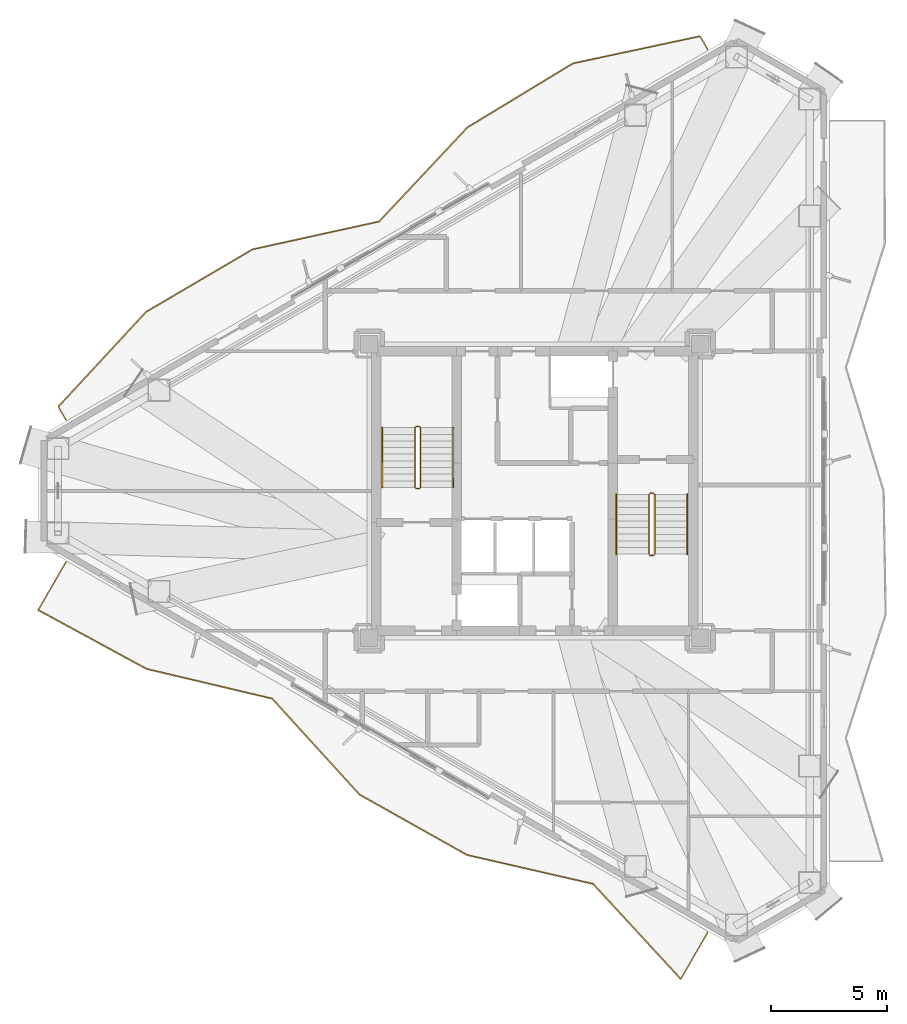
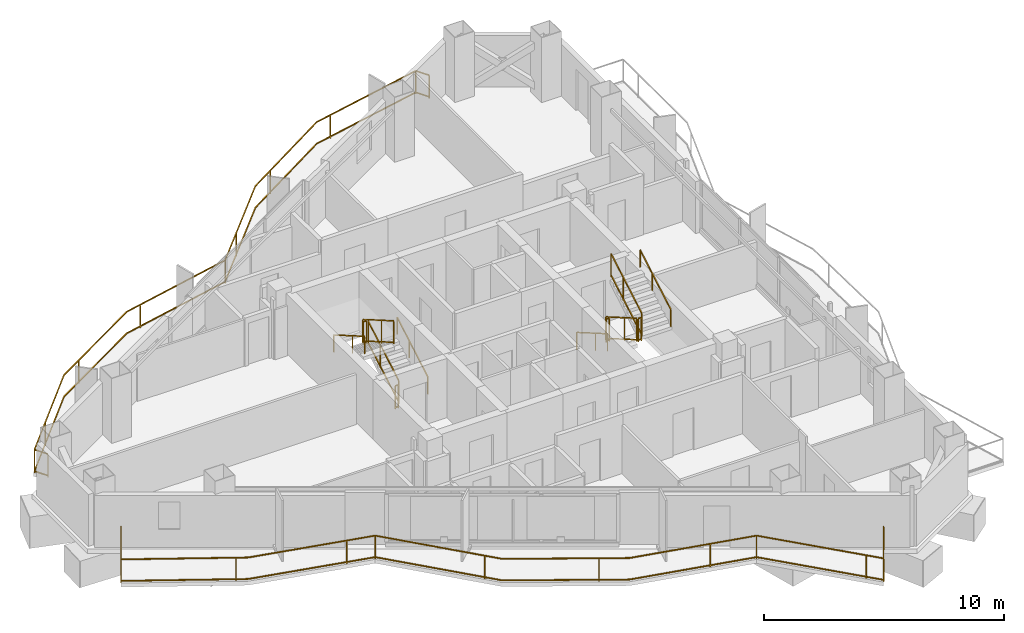
# One storey, part 21 of 22: 14 railings.
"""IFC4 building model written with IfcOpenShell, lengths in metres."""

from ifc_helpers import new_model, si_unit, direction, frame, origin, origin_2d, place, context, subcontext, project, spatial, rectangle, extrude, material, type_object, element, save


model = new_model("IFC4")

# Units and contexts
model_context = context("Model", 3, precision=1e-05, world=origin(), true_north=direction((0.0, 1.0)))
body_context = subcontext(model_context, "Body", "Model", "MODEL_VIEW")
ifc_project = project(units=[si_unit("LENGTHUNIT", "METRE"), si_unit("AREAUNIT", "SQUARE_METRE"), si_unit("VOLUMEUNIT", "CUBIC_METRE"), si_unit("PLANEANGLEUNIT", "RADIAN"), si_unit("MASSUNIT", "GRAM", prefix="KILO")], contexts=[model_context])

# Site, building, storey
site_placement = place(None, origin())
site = spatial("IfcSite", under=ifc_project, at=site_placement, CompositionType="ELEMENT")
building_placement = place(site_placement, origin())
building = spatial("IfcBuilding", under=site, at=building_placement, Name="Mersakhor Tower and Convention Hall", CompositionType="ELEMENT")
storey_placement = place(building_placement, frame((0.0, 0.0, 167.39990234375)))
storey = spatial("IfcBuildingStorey", under=building, at=storey_placement, Name="L46", CompositionType="ELEMENT", Elevation=167.39990234375)

# Railings
ifc_material_1 = material(Name="Powder-coated galvanised steel and laminated glass balustrade", Category="steel")
railing_type_1 = type_object("IfcRailingType", Name="RL-BAL-1200", PredefinedType="BALUSTRADE", material=ifc_material_1)
railing_1_placement = place(storey_placement, frame((36.4248046875, 45.705810546875, 0.0)))
element("IfcRailing", 1, at=railing_1_placement, inside=storey, type_object=railing_type_1, Name="L46 Sinusoidal Balcony Balustrade F1", PredefinedType="BALUSTRADE", context=body_context, shape_type="SweptSolid", body=[
    extrude(rectangle(XDim=0.048095703125, YDim=0.048095703125, at=origin_2d()), frame((0.0, 0.0, 1.17578125), z_axis=(-0.49989585183, 0.866085525409, 0.0), x_axis=(-0.866085525409, -0.49989585183, 0.0)), (0.0, 0.0, 1.0), 0.650146484375),
    extrude(rectangle(XDim=0.048095703125, YDim=0.048095703125, at=origin_2d()), frame((0.0, 0.0, 0.080078125), z_axis=(-0.49989585183, 0.866085525409, 0.0), x_axis=(-0.866085525409, -0.49989585183, 0.0)), (0.0, 0.0, 1.0), 0.650146484375),
    extrude(rectangle(XDim=0.048095703125, YDim=0.048095703125, at=origin_2d()), frame((-0.324951171875, 0.56298828125, 1.17578125), z_axis=(-0.977929154396, -0.20893675833, 0.0), x_axis=(0.20893675833, -0.977929154396, 0.0)), (0.0, 0.0, 1.0), 5.57373046875),
    extrude(rectangle(XDim=0.048095703125, YDim=0.048095703125, at=origin_2d()), frame((-0.324951171875, 0.56298828125, 0.080078125), z_axis=(-0.977929154396, -0.20893675833, 0.0), x_axis=(0.20893675833, -0.977929154396, 0.0)), (0.0, 0.0, 1.0), 5.57373046875),
    extrude(rectangle(XDim=0.048095703125, YDim=0.048095703125, at=origin_2d()), frame((-5.775634765625, -0.6015625, 1.17578125), z_axis=(-0.855177428403, -0.518335379797, 0.0), x_axis=(0.518335379797, -0.855177428403, 0.0)), (0.0, 0.0, 1.0), 5.303955078125),
    extrude(rectangle(XDim=0.048095703125, YDim=0.048095703125, at=origin_2d()), frame((-5.775634765625, -0.6015625, 0.080078125), z_axis=(-0.855177428403, -0.518335379797, 0.0), x_axis=(0.518335379797, -0.855177428403, 0.0)), (0.0, 0.0, 1.0), 5.303955078125),
    extrude(rectangle(XDim=0.048095703125, YDim=0.048095703125, at=origin_2d()), frame((-10.3115234375, -3.350830078125, 1.17578125), z_axis=(-0.684182971035, -0.729310401781, 0.0), x_axis=(0.729310401781, -0.684182971035, 0.0)), (0.0, 0.0, 1.0), 5.539794921875),
    extrude(rectangle(XDim=0.048095703125, YDim=0.048095703125, at=origin_2d()), frame((-10.3115234375, -3.350830078125, 0.080078125), z_axis=(-0.684182971035, -0.729310401781, 0.0), x_axis=(0.729310401781, -0.684182971035, 0.0)), (0.0, 0.0, 1.0), 5.539794921875),
    extrude(rectangle(XDim=0.048095703125, YDim=0.048095703125, at=origin_2d()), frame((-14.101806640625, -7.39111328125, 1.17578125), z_axis=(-0.976598391936, -0.215071106539, 0.0), x_axis=(0.215071106539, -0.976598391936, 0.0)), (0.0, 0.0, 1.0), 5.562255859375),
    extrude(rectangle(XDim=0.048095703125, YDim=0.048095703125, at=origin_2d()), frame((-14.101806640625, -7.39111328125, 0.080078125), z_axis=(-0.976598391936, -0.215071106539, 0.0), x_axis=(0.215071106539, -0.976598391936, 0.0)), (0.0, 0.0, 1.0), 5.562255859375),
    extrude(rectangle(XDim=0.048095703125, YDim=0.048095703125, at=origin_2d()), frame((-19.533935546875, -8.58740234375, 1.17578125), z_axis=(-0.862445056266, -0.506150693887, 0.0), x_axis=(0.506150693887, -0.862445056266, 0.0)), (0.0, 0.0, 1.0), 5.302978515625),
    extrude(rectangle(XDim=0.048095703125, YDim=0.048095703125, at=origin_2d()), frame((-19.533935546875, -8.58740234375, 0.080078125), z_axis=(-0.862445056266, -0.506150693887, 0.0), x_axis=(0.506150693887, -0.862445056266, 0.0)), (0.0, 0.0, 1.0), 5.302978515625),
    extrude(rectangle(XDim=0.048095703125, YDim=0.048095703125, at=origin_2d()), frame((-24.107421875, -11.271484375, 1.17578125), z_axis=(-0.679313309925, -0.733848367824, 0.0), x_axis=(0.733848367824, -0.679313309925, 0.0)), (0.0, 0.0, 1.0), 5.55126953125),
    extrude(rectangle(XDim=0.048095703125, YDim=0.048095703125, at=origin_2d()), frame((-24.107421875, -11.271484375, 0.080078125), z_axis=(-0.679313309925, -0.733848367824, 0.0), x_axis=(0.733848367824, -0.679313309925, 0.0)), (0.0, 0.0, 1.0), 5.55126953125),
    extrude(rectangle(XDim=0.048095703125, YDim=0.048095703125, at=origin_2d()), frame((-27.87841796875, -15.34521484375, 1.17578125), z_axis=(0.500058503878, -0.86599162392, 0.0), x_axis=(0.86599162392, 0.500058503878, 0.0)), (0.0, 0.0, 1.0), 0.64990234375),
    extrude(rectangle(XDim=0.048095703125, YDim=0.048095703125, at=origin_2d()), frame((-27.87841796875, -15.34521484375, 0.080078125), z_axis=(0.500058503878, -0.86599162392, 0.0), x_axis=(0.86599162392, 0.500058503878, 0.0)), (0.0, 0.0, 1.0), 0.64990234375),
    extrude(rectangle(XDim=0.0419921875, YDim=0.0419921875, at=origin_2d()), origin(), (0.0, 0.0, 1.0), 1.15185546875),
    extrude(rectangle(XDim=0.0419921875, YDim=0.0419921875, at=origin_2d()), frame((-0.324951171875, 0.56298828125, 0.0)), (0.0, 0.0, 1.0), 1.15185546875),
    extrude(rectangle(XDim=0.0419921875, YDim=0.0419921875, at=origin_2d()), frame((-5.01904296875, -0.43994140625, 0.0)), (0.0, 0.0, 1.0), 1.15185546875),
    extrude(rectangle(XDim=0.0419921875, YDim=0.0419921875, at=origin_2d()), frame((-9.21875, -2.6884765625, 0.0)), (0.0, 0.0, 1.0), 1.15185546875),
    extrude(rectangle(XDim=0.0419921875, YDim=0.0419921875, at=origin_2d()), frame((-12.721435546875, -5.919677734375, 0.0)), (0.0, 0.0, 1.0), 1.15185546875),
    extrude(rectangle(XDim=0.0419921875, YDim=0.0419921875, at=origin_2d()), frame((-14.101806640625, -7.39111328125, 0.0)), (0.0, 0.0, 1.0), 1.15185546875),
    extrude(rectangle(XDim=0.0419921875, YDim=0.0419921875, at=origin_2d()), frame((-18.78955078125, -8.42333984375, 0.0)), (0.0, 0.0, 1.0), 1.15185546875),
    extrude(rectangle(XDim=0.0419921875, YDim=0.0419921875, at=origin_2d()), frame((-23.01611328125, -10.631103515625, 0.0)), (0.0, 0.0, 1.0), 1.15185546875),
    extrude(rectangle(XDim=0.0419921875, YDim=0.0419921875, at=origin_2d()), frame((-26.508544921875, -13.865478515625, 0.0)), (0.0, 0.0, 1.0), 1.15185546875),
    extrude(rectangle(XDim=0.0419921875, YDim=0.0419921875, at=origin_2d()), frame((-27.87841796875, -15.34521484375, 0.0)), (0.0, 0.0, 1.0), 1.15185546875),
    extrude(rectangle(XDim=0.0419921875, YDim=0.0419921875, at=origin_2d()), frame((-27.553466796875, -15.907958984375, 0.0)), (0.0, 0.0, 1.0), 1.15185546875),
])
railing_2_placement = place(storey_placement, frame((8.871337890625, 23.7021484375, 0.0)))
element("IfcRailing", 2, at=railing_2_placement, inside=storey, type_object=railing_type_1, Name="L46 Sinusoidal Balcony Balustrade F3", PredefinedType="BALUSTRADE", context=body_context, shape_type="SweptSolid", body=[
    extrude(rectangle(XDim=0.048095703125, YDim=0.048095703125, at=origin_2d()), frame((0.0, 0.0, 1.17578125), z_axis=(-0.499980071345, -0.866036909293, 0.0), x_axis=(0.866036909293, -0.499980071345, 0.0)), (0.0, 0.0, 1.0), 2.37890625),
    extrude(rectangle(XDim=0.048095703125, YDim=0.048095703125, at=origin_2d()), frame((0.0, 0.0, 0.080078125), z_axis=(-0.499980071345, -0.866036909293, 0.0), x_axis=(0.866036909293, -0.499980071345, 0.0)), (0.0, 0.0, 1.0), 2.37890625),
    extrude(rectangle(XDim=0.048095703125, YDim=0.048095703125, at=origin_2d()), frame((-1.189453125, -2.060302734375, 1.17578125), z_axis=(0.87874202655, -0.477297025734, 0.0), x_axis=(0.477297025734, 0.87874202655, 0.0)), (0.0, 0.0, 1.0), 5.304443359375),
    extrude(rectangle(XDim=0.048095703125, YDim=0.048095703125, at=origin_2d()), frame((-1.189453125, -2.060302734375, 0.080078125), z_axis=(0.87874202655, -0.477297025734, 0.0), x_axis=(0.477297025734, 0.87874202655, 0.0)), (0.0, 0.0, 1.0), 5.304443359375),
    extrude(rectangle(XDim=0.048095703125, YDim=0.048095703125, at=origin_2d()), frame((3.4716796875, -4.592041015625, 1.17578125), z_axis=(0.973185330733, -0.230022416399, 0.0), x_axis=(0.230022416399, 0.973185330733, 0.0)), (0.0, 0.0, 1.0), 5.5361328125),
    extrude(rectangle(XDim=0.048095703125, YDim=0.048095703125, at=origin_2d()), frame((3.4716796875, -4.592041015625, 0.080078125), z_axis=(0.973185330733, -0.230022416399, 0.0), x_axis=(0.230022416399, 0.973185330733, 0.0)), (0.0, 0.0, 1.0), 5.5361328125),
    extrude(rectangle(XDim=0.048095703125, YDim=0.048095703125, at=origin_2d()), frame((8.859375, -5.865478515625, 1.17578125), z_axis=(0.672987096018, -0.739654222318, 0.0), x_axis=(0.739654222318, 0.672987096018, 0.0)), (0.0, 0.0, 1.0), 5.56640625),
    extrude(rectangle(XDim=0.048095703125, YDim=0.048095703125, at=origin_2d()), frame((8.859375, -5.865478515625, 0.080078125), z_axis=(0.672987096018, -0.739654222318, 0.0), x_axis=(0.739654222318, 0.672987096018, 0.0)), (0.0, 0.0, 1.0), 5.56640625),
    extrude(rectangle(XDim=0.048095703125, YDim=0.048095703125, at=origin_2d()), frame((12.60546875, -9.982666015625, 1.17578125), z_axis=(0.871913442667, -0.489660033592, 0.0), x_axis=(0.489660033592, 0.871913442667, 0.0)), (0.0, 0.0, 1.0), 5.302978515625),
    extrude(rectangle(XDim=0.048095703125, YDim=0.048095703125, at=origin_2d()), frame((12.60546875, -9.982666015625, 0.080078125), z_axis=(0.871913442667, -0.489660033592, 0.0), x_axis=(0.489660033592, 0.871913442667, 0.0)), (0.0, 0.0, 1.0), 5.302978515625),
    extrude(rectangle(XDim=0.048095703125, YDim=0.048095703125, at=origin_2d()), frame((17.229248046875, -12.579345703125, 1.17578125), z_axis=(0.974687781091, -0.223570412604, 0.0), x_axis=(0.223570412604, 0.974687781091, 0.0)), (0.0, 0.0, 1.0), 5.54736328125),
    extrude(rectangle(XDim=0.048095703125, YDim=0.048095703125, at=origin_2d()), frame((17.229248046875, -12.579345703125, 0.080078125), z_axis=(0.974687781091, -0.223570412604, 0.0), x_axis=(0.223570412604, 0.974687781091, 0.0)), (0.0, 0.0, 1.0), 5.54736328125),
    extrude(rectangle(XDim=0.048095703125, YDim=0.048095703125, at=origin_2d()), frame((22.63623046875, -13.819580078125, 1.17578125), z_axis=(0.677756038336, -0.735286850487, 0.0), x_axis=(0.735286850487, 0.677756038336, 0.0)), (0.0, 0.0, 1.0), 5.554931640625),
    extrude(rectangle(XDim=0.048095703125, YDim=0.048095703125, at=origin_2d()), frame((22.63623046875, -13.819580078125, 0.080078125), z_axis=(0.677756038336, -0.735286850487, 0.0), x_axis=(0.735286850487, 0.677756038336, 0.0)), (0.0, 0.0, 1.0), 5.554931640625),
    extrude(rectangle(XDim=0.048095703125, YDim=0.048095703125, at=origin_2d()), frame((26.401123046875, -17.904052734375, 1.17578125), z_axis=(0.49996696679, 0.866044474677, 0.0), x_axis=(-0.866044474677, 0.49996696679, 0.0)), (0.0, 0.0, 1.0), 2.304931640625),
    extrude(rectangle(XDim=0.048095703125, YDim=0.048095703125, at=origin_2d()), frame((26.401123046875, -17.904052734375, 0.080078125), z_axis=(0.49996696679, 0.866044474677, 0.0), x_axis=(-0.866044474677, 0.49996696679, 0.0)), (0.0, 0.0, 1.0), 2.304931640625),
    extrude(rectangle(XDim=0.0419921875, YDim=0.0419921875, at=origin_2d()), origin(), (0.0, 0.0, 1.0), 1.15185546875),
    extrude(rectangle(XDim=0.0419921875, YDim=0.0419921875, at=origin_2d()), frame((-1.189453125, -2.060302734375, 0.0)), (0.0, 0.0, 1.0), 1.15185546875),
    extrude(rectangle(XDim=0.0419921875, YDim=0.0419921875, at=origin_2d()), frame((3.028564453125, -4.351318359375, 0.0)), (0.0, 0.0, 1.0), 1.15185546875),
    extrude(rectangle(XDim=0.0419921875, YDim=0.0419921875, at=origin_2d()), frame((7.652099609375, -5.580078125, 0.0)), (0.0, 0.0, 1.0), 1.15185546875),
    extrude(rectangle(XDim=0.0419921875, YDim=0.0419921875, at=origin_2d()), frame((8.859375, -5.865478515625, 0.0)), (0.0, 0.0, 1.0), 1.15185546875),
    extrude(rectangle(XDim=0.0419921875, YDim=0.0419921875, at=origin_2d()), frame((12.089599609375, -9.415771484375, 0.0)), (0.0, 0.0, 1.0), 1.15185546875),
    extrude(rectangle(XDim=0.0419921875, YDim=0.0419921875, at=origin_2d()), frame((16.12255859375, -11.957763671875, 0.0)), (0.0, 0.0, 1.0), 1.15185546875),
    extrude(rectangle(XDim=0.0419921875, YDim=0.0419921875, at=origin_2d()), frame((20.67041015625, -13.36865234375, 0.0)), (0.0, 0.0, 1.0), 1.15185546875),
    extrude(rectangle(XDim=0.0419921875, YDim=0.0419921875, at=origin_2d()), frame((22.63623046875, -13.819580078125, 0.0)), (0.0, 0.0, 1.0), 1.15185546875),
    extrude(rectangle(XDim=0.0419921875, YDim=0.0419921875, at=origin_2d()), frame((25.889404296875, -17.348876953125, 0.0)), (0.0, 0.0, 1.0), 1.15185546875),
    extrude(rectangle(XDim=0.0419921875, YDim=0.0419921875, at=origin_2d()), frame((26.401123046875, -17.904052734375, 0.0)), (0.0, 0.0, 1.0), 1.15185546875),
    extrude(rectangle(XDim=0.0419921875, YDim=0.0419921875, at=origin_2d()), frame((27.553466796875, -15.907958984375, 0.0)), (0.0, 0.0, 1.0), 1.15185546875),
])
ifc_material_2 = material(Name="Brushed stainless steel handrail", Category="steel")
railing_type_2 = type_object("IfcRailingType", Name="RL-HR-900", PredefinedType="HANDRAIL", material=ifc_material_2)
railing_3_placement = place(storey_placement, frame((25.5, 26.89990234375, 0.1650390625)))
element("IfcRailing", 3, at=railing_3_placement, inside=storey, type_object=railing_type_2, Name="L46 ST-1 stair handrail 1", PredefinedType="HANDRAIL", context=body_context, shape_type="SweptSolid", body=[
    extrude(rectangle(XDim=0.048095703125, YDim=0.048095703125, at=origin_2d()), frame((0.0, 0.0, 0.8759765625), z_axis=(0.0, 0.865426285481, 0.501036270542), x_axis=(-1.0, 0.0, 0.0)), (0.0, 0.0, 1.0), 2.964111328125),
    extrude(rectangle(XDim=0.0419921875, YDim=0.0419921875, at=origin_2d()), origin(), (0.0, 0.0, 1.0), 0.851806640625),
    extrude(rectangle(XDim=0.0419921875, YDim=0.0419921875, at=origin_2d()), frame((0.0, 1.557861328125, 0.90185546875)), (0.0, 0.0, 1.0), 0.851806640625),
    extrude(rectangle(XDim=0.0419921875, YDim=0.0419921875, at=origin_2d()), frame((0.0, 2.565185546875, 1.485107421875)), (0.0, 0.0, 1.0), 0.851806640625),
])
railing_4_placement = place(storey_placement, frame((22.449951171875, 29.465087890625, 1.815185546875)))
element("IfcRailing", 4, at=railing_4_placement, inside=storey, type_object=railing_type_2, Name="L46 ST-1 stair handrail 2", PredefinedType="HANDRAIL", context=body_context, shape_type="SweptSolid", body=[
    extrude(rectangle(XDim=0.048095703125, YDim=0.048095703125, at=origin_2d()), frame((0.0, 0.0, 0.8759765625), z_axis=(0.0, -0.865461999751, 0.500974577186), x_axis=(1.0, 0.0, 0.0)), (0.0, 0.0, 1.0), 2.9638671875),
    extrude(rectangle(XDim=0.0419921875, YDim=0.0419921875, at=origin_2d()), origin(), (0.0, 0.0, 1.0), 0.851806640625),
    extrude(rectangle(XDim=0.0419921875, YDim=0.0419921875, at=origin_2d()), frame((0.0, -1.557861328125, 0.90185546875)), (0.0, 0.0, 1.0), 0.851806640625),
    extrude(rectangle(XDim=0.0419921875, YDim=0.0419921875, at=origin_2d()), frame((0.0, -2.565185546875, 1.48486328125)), (0.0, 0.0, 1.0), 0.851806640625),
])
railing_5_placement = place(storey_placement, frame((32.5, 26.60009765625, 0.1650390625)))
element("IfcRailing", 5, at=railing_5_placement, inside=storey, type_object=railing_type_2, Name="L46 ST-2 stair handrail 1", PredefinedType="HANDRAIL", context=body_context, shape_type="SweptSolid", body=[
    extrude(rectangle(XDim=0.048095703125, YDim=0.048095703125, at=origin_2d()), frame((0.0, 0.0, 0.8759765625), z_axis=(0.0, -0.865426285481, 0.501036270542), x_axis=(1.0, 0.0, 0.0)), (0.0, 0.0, 1.0), 2.964111328125),
    extrude(rectangle(XDim=0.0419921875, YDim=0.0419921875, at=origin_2d()), origin(), (0.0, 0.0, 1.0), 0.851806640625),
    extrude(rectangle(XDim=0.0419921875, YDim=0.0419921875, at=origin_2d()), frame((0.0, -1.557861328125, 0.90185546875)), (0.0, 0.0, 1.0), 0.851806640625),
    extrude(rectangle(XDim=0.0419921875, YDim=0.0419921875, at=origin_2d()), frame((0.0, -2.565185546875, 1.485107421875)), (0.0, 0.0, 1.0), 0.851806640625),
])
railing_6_placement = place(storey_placement, frame((35.550048828125, 24.034912109375, 1.815185546875)))
element("IfcRailing", 6, at=railing_6_placement, inside=storey, type_object=railing_type_2, Name="L46 ST-2 stair handrail 2", PredefinedType="HANDRAIL", context=body_context, shape_type="SweptSolid", body=[
    extrude(rectangle(XDim=0.048095703125, YDim=0.048095703125, at=origin_2d()), frame((0.0, 0.0, 0.8759765625), z_axis=(0.0, 0.865461999751, 0.500974577186), x_axis=(-1.0, 0.0, 0.0)), (0.0, 0.0, 1.0), 2.9638671875),
    extrude(rectangle(XDim=0.0419921875, YDim=0.0419921875, at=origin_2d()), origin(), (0.0, 0.0, 1.0), 0.851806640625),
    extrude(rectangle(XDim=0.0419921875, YDim=0.0419921875, at=origin_2d()), frame((0.0, 1.557861328125, 0.90185546875)), (0.0, 0.0, 1.0), 0.851806640625),
    extrude(rectangle(XDim=0.0419921875, YDim=0.0419921875, at=origin_2d()), frame((0.0, 2.565185546875, 1.48486328125)), (0.0, 0.0, 1.0), 0.851806640625),
])
ifc_material_3 = material(Name="Painted steel stair balustrade S355", Category="steel")
railing_type_3 = type_object("IfcRailingType", Name="RL-STG-1200", PredefinedType="BALUSTRADE", material=ifc_material_3)
railing_7_placement = place(storey_placement, frame((24.10009765625, 26.89990234375, 0.1650390625)))
element("IfcRailing", 7, at=railing_7_placement, inside=storey, type_object=railing_type_3, Name="L46 ST-1 stair guard 1", PredefinedType="BALUSTRADE", context=body_context, shape_type="SweptSolid", body=[
    extrude(rectangle(XDim=0.048095703125, YDim=0.048095703125, at=origin_2d()), frame((0.0, 0.0, 1.17578125), z_axis=(0.0, 0.865426285481, 0.501036270542), x_axis=(-1.0, 0.0, 0.0)), (0.0, 0.0, 1.0), 2.964111328125),
    extrude(rectangle(XDim=0.048095703125, YDim=0.048095703125, at=origin_2d()), frame((0.0, 0.0, 0.080078125), z_axis=(0.0, 0.865426285481, 0.501036270542), x_axis=(-1.0, 0.0, 0.0)), (0.0, 0.0, 1.0), 2.964111328125),
    extrude(rectangle(XDim=0.0419921875, YDim=0.0419921875, at=origin_2d()), origin(), (0.0, 0.0, 1.0), 1.15185546875),
    extrude(rectangle(XDim=0.0419921875, YDim=0.0419921875, at=origin_2d()), frame((0.0, 1.557861328125, 0.90185546875)), (0.0, 0.0, 1.0), 1.15185546875),
    extrude(rectangle(XDim=0.0419921875, YDim=0.0419921875, at=origin_2d()), frame((0.0, 2.565185546875, 1.485107421875)), (0.0, 0.0, 1.0), 1.15185546875),
])
railing_8_placement = place(storey_placement, frame((24.050048828125, 29.514892578125, 1.650146484375)))
element("IfcRailing", 8, at=railing_8_placement, inside=storey, type_object=railing_type_3, Name="L46 ST-1 stair guard 2", PredefinedType="BALUSTRADE", context=body_context, shape_type="SweptSolid", body=[
    extrude(rectangle(XDim=0.048095703125, YDim=0.048095703125, at=origin_2d()), frame((0.0, 0.0, 1.17578125), z_axis=(-1.0, 0.0, 0.0), x_axis=(0.0, -1.0, 0.0)), (0.0, 0.0, 1.0), 0.150146484375),
    extrude(rectangle(XDim=0.048095703125, YDim=0.048095703125, at=origin_2d()), frame((0.0, 0.0, 0.080078125), z_axis=(-1.0, 0.0, 0.0), x_axis=(0.0, -1.0, 0.0)), (0.0, 0.0, 1.0), 0.150146484375),
    extrude(rectangle(XDim=0.0419921875, YDim=0.0419921875, at=origin_2d()), origin(), (0.0, 0.0, 1.0), 1.15185546875),
    extrude(rectangle(XDim=0.0419921875, YDim=0.0419921875, at=origin_2d()), frame((-0.150146484375, 0.0, 0.0)), (0.0, 0.0, 1.0), 1.15185546875),
])
railing_9_placement = place(storey_placement, frame((23.85009765625, 29.465087890625, 1.815185546875)))
element("IfcRailing", 9, at=railing_9_placement, inside=storey, type_object=railing_type_3, Name="L46 ST-1 stair guard 3", PredefinedType="BALUSTRADE", context=body_context, shape_type="SweptSolid", body=[
    extrude(rectangle(XDim=0.048095703125, YDim=0.048095703125, at=origin_2d()), frame((0.0, 0.0, 1.17578125), z_axis=(0.0, -0.865461999751, 0.500974577186), x_axis=(1.0, 0.0, 0.0)), (0.0, 0.0, 1.0), 2.9638671875),
    extrude(rectangle(XDim=0.048095703125, YDim=0.048095703125, at=origin_2d()), frame((0.0, 0.0, 0.080078125), z_axis=(0.0, -0.865461999751, 0.500974577186), x_axis=(1.0, 0.0, 0.0)), (0.0, 0.0, 1.0), 2.9638671875),
    extrude(rectangle(XDim=0.0419921875, YDim=0.0419921875, at=origin_2d()), origin(), (0.0, 0.0, 1.0), 1.15185546875),
    extrude(rectangle(XDim=0.0419921875, YDim=0.0419921875, at=origin_2d()), frame((0.0, -1.557861328125, 0.90185546875)), (0.0, 0.0, 1.0), 1.15185546875),
    extrude(rectangle(XDim=0.0419921875, YDim=0.0419921875, at=origin_2d()), frame((0.0, -2.565185546875, 1.48486328125)), (0.0, 0.0, 1.0), 1.15185546875),
])
railing_10_placement = place(storey_placement, frame((24.050048828125, 26.85009765625, 0.0)))
element("IfcRailing", 10, at=railing_10_placement, inside=storey, type_object=railing_type_3, Name="L46 ST-1 stair guard 4", PredefinedType="BALUSTRADE", context=body_context, shape_type="SweptSolid", body=[
    extrude(rectangle(XDim=0.048095703125, YDim=0.048095703125, at=origin_2d()), frame((0.0, 0.0, 1.17578125), z_axis=(-1.0, 0.0, 0.0), x_axis=(0.0, -1.0, 0.0)), (0.0, 0.0, 1.0), 0.150146484375),
    extrude(rectangle(XDim=0.048095703125, YDim=0.048095703125, at=origin_2d()), frame((0.0, 0.0, 0.080078125), z_axis=(-1.0, 0.0, 0.0), x_axis=(0.0, -1.0, 0.0)), (0.0, 0.0, 1.0), 0.150146484375),
    extrude(rectangle(XDim=0.0419921875, YDim=0.0419921875, at=origin_2d()), origin(), (0.0, 0.0, 1.0), 1.15185546875),
    extrude(rectangle(XDim=0.0419921875, YDim=0.0419921875, at=origin_2d()), frame((-0.150146484375, 0.0, 0.0)), (0.0, 0.0, 1.0), 1.15185546875),
])
railing_11_placement = place(storey_placement, frame((33.89990234375, 26.60009765625, 0.1650390625)))
element("IfcRailing", 11, at=railing_11_placement, inside=storey, type_object=railing_type_3, Name="L46 ST-2 stair guard 1", PredefinedType="BALUSTRADE", context=body_context, shape_type="SweptSolid", body=[
    extrude(rectangle(XDim=0.048095703125, YDim=0.048095703125, at=origin_2d()), frame((0.0, 0.0, 1.17578125), z_axis=(0.0, -0.865426285481, 0.501036270542), x_axis=(1.0, 0.0, 0.0)), (0.0, 0.0, 1.0), 2.964111328125),
    extrude(rectangle(XDim=0.048095703125, YDim=0.048095703125, at=origin_2d()), frame((0.0, 0.0, 0.080078125), z_axis=(0.0, -0.865426285481, 0.501036270542), x_axis=(1.0, 0.0, 0.0)), (0.0, 0.0, 1.0), 2.964111328125),
    extrude(rectangle(XDim=0.0419921875, YDim=0.0419921875, at=origin_2d()), origin(), (0.0, 0.0, 1.0), 1.15185546875),
    extrude(rectangle(XDim=0.0419921875, YDim=0.0419921875, at=origin_2d()), frame((0.0, -1.557861328125, 0.90185546875)), (0.0, 0.0, 1.0), 1.15185546875),
    extrude(rectangle(XDim=0.0419921875, YDim=0.0419921875, at=origin_2d()), frame((0.0, -2.565185546875, 1.485107421875)), (0.0, 0.0, 1.0), 1.15185546875),
])
railing_12_placement = place(storey_placement, frame((33.949951171875, 23.985107421875, 1.650146484375)))
element("IfcRailing", 12, at=railing_12_placement, inside=storey, type_object=railing_type_3, Name="L46 ST-2 stair guard 2", PredefinedType="BALUSTRADE", context=body_context, shape_type="SweptSolid", body=[
    extrude(rectangle(XDim=0.048095703125, YDim=0.048095703125, at=origin_2d()), frame((0.0, 0.0, 1.17578125), z_axis=(1.0, 0.0, 0.0), x_axis=(0.0, 1.0, 0.0)), (0.0, 0.0, 1.0), 0.150146484375),
    extrude(rectangle(XDim=0.048095703125, YDim=0.048095703125, at=origin_2d()), frame((0.0, 0.0, 0.080078125), z_axis=(1.0, 0.0, 0.0), x_axis=(0.0, 1.0, 0.0)), (0.0, 0.0, 1.0), 0.150146484375),
    extrude(rectangle(XDim=0.0419921875, YDim=0.0419921875, at=origin_2d()), origin(), (0.0, 0.0, 1.0), 1.15185546875),
    extrude(rectangle(XDim=0.0419921875, YDim=0.0419921875, at=origin_2d()), frame((0.150146484375, 0.0, 0.0)), (0.0, 0.0, 1.0), 1.15185546875),
])
railing_13_placement = place(storey_placement, frame((34.14990234375, 24.034912109375, 1.815185546875)))
element("IfcRailing", 13, at=railing_13_placement, inside=storey, type_object=railing_type_3, Name="L46 ST-2 stair guard 3", PredefinedType="BALUSTRADE", context=body_context, shape_type="SweptSolid", body=[
    extrude(rectangle(XDim=0.048095703125, YDim=0.048095703125, at=origin_2d()), frame((0.0, 0.0, 1.17578125), z_axis=(0.0, 0.865461999751, 0.500974577186), x_axis=(-1.0, 0.0, 0.0)), (0.0, 0.0, 1.0), 2.9638671875),
    extrude(rectangle(XDim=0.048095703125, YDim=0.048095703125, at=origin_2d()), frame((0.0, 0.0, 0.080078125), z_axis=(0.0, 0.865461999751, 0.500974577186), x_axis=(-1.0, 0.0, 0.0)), (0.0, 0.0, 1.0), 2.9638671875),
    extrude(rectangle(XDim=0.0419921875, YDim=0.0419921875, at=origin_2d()), origin(), (0.0, 0.0, 1.0), 1.15185546875),
    extrude(rectangle(XDim=0.0419921875, YDim=0.0419921875, at=origin_2d()), frame((0.0, 1.557861328125, 0.90185546875)), (0.0, 0.0, 1.0), 1.15185546875),
    extrude(rectangle(XDim=0.0419921875, YDim=0.0419921875, at=origin_2d()), frame((0.0, 2.565185546875, 1.48486328125)), (0.0, 0.0, 1.0), 1.15185546875),
])
railing_14_placement = place(storey_placement, frame((33.949951171875, 26.64990234375, 0.0)))
element("IfcRailing", 14, at=railing_14_placement, inside=storey, type_object=railing_type_3, Name="L46 ST-2 stair guard 4", PredefinedType="BALUSTRADE", context=body_context, shape_type="SweptSolid", body=[
    extrude(rectangle(XDim=0.048095703125, YDim=0.048095703125, at=origin_2d()), frame((0.0, 0.0, 1.17578125), z_axis=(1.0, 0.0, 0.0), x_axis=(0.0, 1.0, 0.0)), (0.0, 0.0, 1.0), 0.150146484375),
    extrude(rectangle(XDim=0.048095703125, YDim=0.048095703125, at=origin_2d()), frame((0.0, 0.0, 0.080078125), z_axis=(1.0, 0.0, 0.0), x_axis=(0.0, 1.0, 0.0)), (0.0, 0.0, 1.0), 0.150146484375),
    extrude(rectangle(XDim=0.0419921875, YDim=0.0419921875, at=origin_2d()), origin(), (0.0, 0.0, 1.0), 1.15185546875),
    extrude(rectangle(XDim=0.0419921875, YDim=0.0419921875, at=origin_2d()), frame((0.150146484375, 0.0, 0.0)), (0.0, 0.0, 1.0), 1.15185546875),
])

save(model, "model.ifc")
